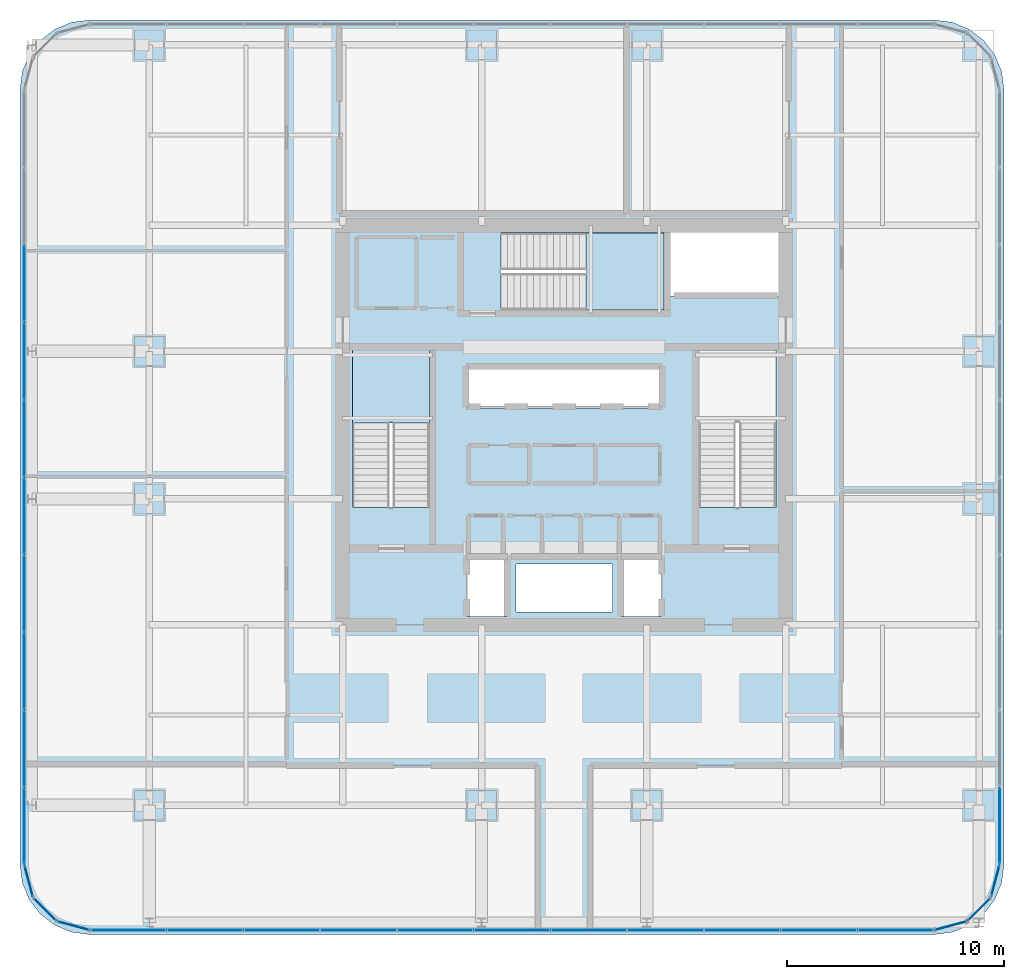
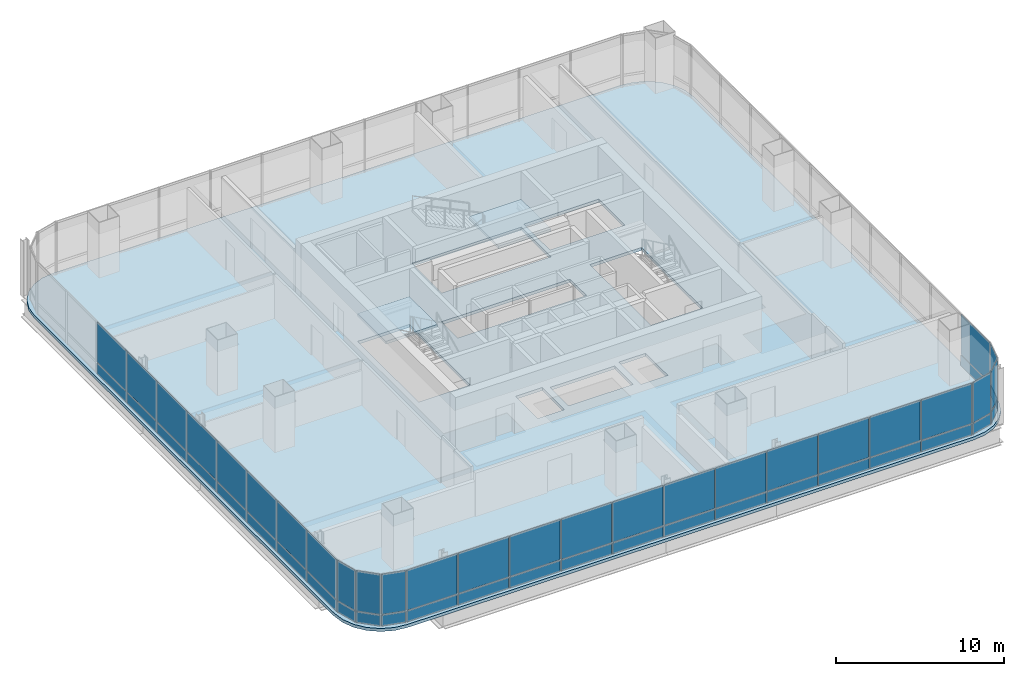
# One storey, part 27 of 36: 52 plates, 3 slabs, 11 elements without a shape of their own.
"""IFC4 building model written with IfcOpenShell, lengths in metres."""

from ifc_helpers import new_model, si_unit, direction, frame, origin, origin_2d, place, context, subcontext, project, spatial, polyline, rectangle, outline, extrude, material, layer, layer_set, type_object, element, aggregate, save


model = new_model("IFC4")

# Units and contexts
model_context = context("Model", 3, precision=1e-05, world=origin(), true_north=direction((0.0, 1.0)))
body_context = subcontext(model_context, "Body", "Model", "MODEL_VIEW")
ifc_project = project(units=[si_unit("LENGTHUNIT", "METRE"), si_unit("AREAUNIT", "SQUARE_METRE"), si_unit("VOLUMEUNIT", "CUBIC_METRE"), si_unit("PLANEANGLEUNIT", "RADIAN"), si_unit("MASSUNIT", "GRAM", prefix="KILO")], contexts=[model_context])

# Site, building, storey
site_placement = place(None, origin())
site = spatial("IfcSite", under=ifc_project, at=site_placement, CompositionType="ELEMENT")
building_placement = place(site_placement, origin())
building = spatial("IfcBuilding", under=site, at=building_placement, Name="Punatoya Terracotta Tower", CompositionType="ELEMENT")
storey_placement = place(building_placement, frame((0.0, 0.0, 196.5)))
storey = spatial("IfcBuildingStorey", under=building, at=storey_placement, Name="L46", CompositionType="ELEMENT", Elevation=196.5)

# Curtain wall, plates
ifc_material_1 = material(Name="Aluminium 6063-T6 + Double Low-E Glass", Category="aluminium")
curtain_wall_type = type_object("IfcCurtainWallType", Name="CW-M2", PredefinedType="NOTDEFINED", material=ifc_material_1)
curtain_wall_1_placement = place(storey_placement, origin())
curtain_wall_1 = element("IfcCurtainWall", 1, at=curtain_wall_1_placement, inside=storey, type_object=curtain_wall_type, Name="L46 Curtain Wall CW-L46-S01-1", PredefinedType="NOTDEFINED")
ifc_material_2 = material(Name="Double Low-E Acoustic Vision Glass", Category="glass")
ifc_layer_1 = layer(ifc_material_2, 0.031982421875)
ifc_layer_set_1 = layer_set([ifc_layer_1], Name="Double Low-E Acoustic Vision Glass")
plate_type_1 = type_object("IfcPlateType", Name="PLT-GLZ-32", PredefinedType="CURTAIN_PANEL", material=ifc_layer_set_1)
plate_1_placement = place(storey_placement, frame((-20.06982421875, -23.25, 0.89013671875), z_axis=(0.0, 0.0, 1.0), x_axis=(1.0, 0.0, 0.0)))
plate_1 = element("IfcPlate", 2, at=plate_1_placement, type_object=plate_type_1, Name="CW-L46-S01-1 Vision Glass Panel 1", PredefinedType="CURTAIN_PANEL", context=body_context, shape_type="SweptSolid", body=[
    extrude(rectangle(XDim=3.448974609375, YDim=0.031982421875, at=origin_2d()), origin(), (0.0, 0.0, 1.0), 2.89990234375),
])
plate_2_placement = place(storey_placement, frame((-16.535888671875, -23.25, 0.89013671875), z_axis=(0.0, 0.0, 1.0), x_axis=(1.0, 0.0, 0.0)))
plate_2 = element("IfcPlate", 3, at=plate_2_placement, type_object=plate_type_1, Name="CW-L46-S01-1 Vision Glass Panel 2", PredefinedType="CURTAIN_PANEL", context=body_context, shape_type="SweptSolid", body=[
    extrude(rectangle(XDim=3.448974609375, YDim=0.031982421875, at=origin_2d()), origin(), (0.0, 0.0, 1.0), 2.89990234375),
])
plate_3_placement = place(storey_placement, frame((-13.001953125, -23.25, 0.89013671875), z_axis=(0.0, 0.0, 1.0), x_axis=(1.0, 0.0, 0.0)))
plate_3 = element("IfcPlate", 4, at=plate_3_placement, type_object=plate_type_1, Name="CW-L46-S01-1 Vision Glass Panel 3", PredefinedType="CURTAIN_PANEL", context=body_context, shape_type="SweptSolid", body=[
    extrude(rectangle(XDim=3.448974609375, YDim=0.031982421875, at=origin_2d()), origin(), (0.0, 0.0, 1.0), 2.89990234375),
])
plate_4_placement = place(storey_placement, frame((-9.468017578125, -23.25, 0.89013671875), z_axis=(0.0, 0.0, 1.0), x_axis=(1.0, 0.0, 0.0)))
plate_4 = element("IfcPlate", 5, at=plate_4_placement, type_object=plate_type_1, Name="CW-L46-S01-1 Vision Glass Panel 4", PredefinedType="CURTAIN_PANEL", context=body_context, shape_type="SweptSolid", body=[
    extrude(rectangle(XDim=3.448974609375, YDim=0.031982421875, at=origin_2d()), origin(), (0.0, 0.0, 1.0), 2.89990234375),
])
plate_5_placement = place(storey_placement, frame((-5.93408203125, -23.25, 0.89013671875), z_axis=(0.0, 0.0, 1.0), x_axis=(1.0, 0.0, 0.0)))
plate_5 = element("IfcPlate", 6, at=plate_5_placement, type_object=plate_type_1, Name="CW-L46-S01-1 Vision Glass Panel 5", PredefinedType="CURTAIN_PANEL", context=body_context, shape_type="SweptSolid", body=[
    extrude(rectangle(XDim=3.448974609375, YDim=0.031982421875, at=origin_2d()), origin(), (0.0, 0.0, 1.0), 2.89990234375),
])
plate_6_placement = place(storey_placement, frame((-2.39990234375, -23.25, 0.89013671875), z_axis=(0.0, 0.0, 1.0), x_axis=(1.0, 0.0, 0.0)))
plate_6 = element("IfcPlate", 7, at=plate_6_placement, type_object=plate_type_1, Name="CW-L46-S01-1 Vision Glass Panel 6", PredefinedType="CURTAIN_PANEL", context=body_context, shape_type="SweptSolid", body=[
    extrude(rectangle(XDim=3.448974609375, YDim=0.031982421875, at=origin_2d()), origin(), (0.0, 0.0, 1.0), 2.89990234375),
])
plate_7_placement = place(storey_placement, frame((1.134033203125, -23.25, 0.89013671875), z_axis=(0.0, 0.0, 1.0), x_axis=(1.0, 0.0, 0.0)))
plate_7 = element("IfcPlate", 8, at=plate_7_placement, type_object=plate_type_1, Name="CW-L46-S01-1 Vision Glass Panel 7", PredefinedType="CURTAIN_PANEL", context=body_context, shape_type="SweptSolid", body=[
    extrude(rectangle(XDim=3.448974609375, YDim=0.031982421875, at=origin_2d()), origin(), (0.0, 0.0, 1.0), 2.89990234375),
])
plate_8_placement = place(storey_placement, frame((4.66796875, -23.25, 0.89013671875), z_axis=(0.0, 0.0, 1.0), x_axis=(1.0, 0.0, 0.0)))
plate_8 = element("IfcPlate", 9, at=plate_8_placement, type_object=plate_type_1, Name="CW-L46-S01-1 Vision Glass Panel 8", PredefinedType="CURTAIN_PANEL", context=body_context, shape_type="SweptSolid", body=[
    extrude(rectangle(XDim=3.448974609375, YDim=0.031982421875, at=origin_2d()), origin(), (0.0, 0.0, 1.0), 2.89990234375),
])
plate_9_placement = place(storey_placement, frame((8.201904296875, -23.25, 0.89013671875), z_axis=(0.0, 0.0, 1.0), x_axis=(1.0, 0.0, 0.0)))
plate_9 = element("IfcPlate", 10, at=plate_9_placement, type_object=plate_type_1, Name="CW-L46-S01-1 Vision Glass Panel 9", PredefinedType="CURTAIN_PANEL", context=body_context, shape_type="SweptSolid", body=[
    extrude(rectangle(XDim=3.448974609375, YDim=0.031982421875, at=origin_2d()), origin(), (0.0, 0.0, 1.0), 2.89990234375),
])
plate_10_placement = place(storey_placement, frame((11.73583984375, -23.25, 0.89013671875), z_axis=(0.0, 0.0, 1.0), x_axis=(1.0, 0.0, 0.0)))
plate_10 = element("IfcPlate", 11, at=plate_10_placement, type_object=plate_type_1, Name="CW-L46-S01-1 Vision Glass Panel 10", PredefinedType="CURTAIN_PANEL", context=body_context, shape_type="SweptSolid", body=[
    extrude(rectangle(XDim=3.448974609375, YDim=0.031982421875, at=origin_2d()), origin(), (0.0, 0.0, 1.0), 2.89990234375),
])
plate_11_placement = place(storey_placement, frame((15.27001953125, -23.25, 0.89013671875), z_axis=(0.0, 0.0, 1.0), x_axis=(1.0, 0.0, 0.0)))
plate_11 = element("IfcPlate", 12, at=plate_11_placement, type_object=plate_type_1, Name="CW-L46-S01-1 Vision Glass Panel 11", PredefinedType="CURTAIN_PANEL", context=body_context, shape_type="SweptSolid", body=[
    extrude(rectangle(XDim=3.448974609375, YDim=0.031982421875, at=origin_2d()), origin(), (0.0, 0.0, 1.0), 2.89990234375),
])

# Curtain wall, plate
curtain_wall_2_placement = place(storey_placement, origin())
curtain_wall_2 = element("IfcCurtainWall", 13, at=curtain_wall_2_placement, inside=storey, type_object=curtain_wall_type, Name="L46 Curtain Wall CW-L46-CRN02", PredefinedType="NOTDEFINED")
plate_12_placement = place(storey_placement, frame((17.79296875, -23.04833984375, 0.89013671875), z_axis=(0.0, 0.0, 1.0), x_axis=(0.966213877436, 0.257741620719, 0.0)))
plate_12 = element("IfcPlate", 14, at=plate_12_placement, type_object=plate_type_1, Name="CW-L46-CRN02 Vision Glass Panel 1", PredefinedType="CURTAIN_PANEL", context=body_context, shape_type="SweptSolid", body=[
    extrude(rectangle(XDim=1.47998046875, YDim=0.031982421875, at=origin_2d()), origin(), (0.0, 0.0, 1.0), 2.89990234375),
])

curtain_wall_3_placement = place(storey_placement, origin())
curtain_wall_3 = element("IfcCurtainWall", 15, at=curtain_wall_3_placement, inside=storey, type_object=curtain_wall_type, Name="L46 Curtain Wall CW-L46-CRN03", PredefinedType="NOTDEFINED")
plate_13_placement = place(storey_placement, frame((19.097900390625, -22.2978515625, 0.89013671875), z_axis=(0.0, 0.0, 1.0), x_axis=(0.707106781187, 0.707106781187, 0.0)))
plate_13 = element("IfcPlate", 16, at=plate_13_placement, type_object=plate_type_1, Name="CW-L46-CRN03 Vision Glass Panel 1", PredefinedType="CURTAIN_PANEL", context=body_context, shape_type="SweptSolid", body=[
    extrude(rectangle(XDim=1.467041015625, YDim=0.031982421875, at=origin_2d()), origin(), (0.0, 0.0, 1.0), 2.89990234375),
])

curtain_wall_4_placement = place(storey_placement, origin())
curtain_wall_4 = element("IfcCurtainWall", 17, at=curtain_wall_4_placement, inside=storey, type_object=curtain_wall_type, Name="L46 Curtain Wall CW-L46-CRN04", PredefinedType="NOTDEFINED")
plate_14_placement = place(storey_placement, frame((19.848388671875, -20.992919921875, 0.89013671875), z_axis=(0.0, 0.0, 1.0), x_axis=(0.257741620719, 0.966213877436, 0.0)))
plate_14 = element("IfcPlate", 18, at=plate_14_placement, type_object=plate_type_1, Name="CW-L46-CRN04 Vision Glass Panel 1", PredefinedType="CURTAIN_PANEL", context=body_context, shape_type="SweptSolid", body=[
    extrude(rectangle(XDim=1.47998046875, YDim=0.031982421875, at=origin_2d()), origin(), (0.0, 0.0, 1.0), 2.89990234375),
])

curtain_wall_5_placement = place(storey_placement, origin())
curtain_wall_5 = element("IfcCurtainWall", 19, at=curtain_wall_5_placement, inside=storey, type_object=curtain_wall_type, Name="L46 Curtain Wall CW-L46-E05-1", PredefinedType="NOTDEFINED")
plate_15_placement = place(storey_placement, frame((20.050048828125, -18.453125, 0.89013671875), z_axis=(0.0, 0.0, 1.0), x_axis=(0.0, 1.0, 0.0)))
plate_15 = element("IfcPlate", 20, at=plate_15_placement, type_object=plate_type_1, Name="CW-L46-E05-1 Vision Glass Panel 1", PredefinedType="CURTAIN_PANEL", context=body_context, shape_type="SweptSolid", body=[
    extrude(rectangle(XDim=3.482421875, YDim=0.031982421875, at=origin_2d()), origin(), (0.0, 0.0, 1.0), 2.89990234375),
])

# Curtain wall, plates
curtain_wall_6_placement = place(storey_placement, origin())
curtain_wall_6 = element("IfcCurtainWall", 21, at=curtain_wall_6_placement, inside=storey, type_object=curtain_wall_type, Name="L46 Curtain Wall CW-L46-W13-1", PredefinedType="NOTDEFINED")
plate_16_placement = place(storey_placement, frame((-24.85009765625, 6.518310546875, 0.89013671875), z_axis=(0.0, 0.0, 1.0), x_axis=(0.0, -1.0, 0.0)))
plate_16 = element("IfcPlate", 22, at=plate_16_placement, type_object=plate_type_1, Name="CW-L46-W13-1 Vision Glass Panel 3", PredefinedType="CURTAIN_PANEL", context=body_context, shape_type="SweptSolid", body=[
    extrude(rectangle(XDim=3.482421875, YDim=0.031982421875, at=origin_2d()), origin(), (0.0, 0.0, 1.0), 2.89990234375),
])
plate_17_placement = place(storey_placement, frame((-24.85009765625, 2.951171875, 0.89013671875), z_axis=(0.0, 0.0, 1.0), x_axis=(0.0, -1.0, 0.0)))
plate_17 = element("IfcPlate", 23, at=plate_17_placement, type_object=plate_type_1, Name="CW-L46-W13-1 Vision Glass Panel 4", PredefinedType="CURTAIN_PANEL", context=body_context, shape_type="SweptSolid", body=[
    extrude(rectangle(XDim=3.482421875, YDim=0.031982421875, at=origin_2d()), origin(), (0.0, 0.0, 1.0), 2.89990234375),
])
plate_18_placement = place(storey_placement, frame((-24.85009765625, -0.6162109375, 0.89013671875), z_axis=(0.0, 0.0, 1.0), x_axis=(0.0, -1.0, 0.0)))
plate_18 = element("IfcPlate", 24, at=plate_18_placement, type_object=plate_type_1, Name="CW-L46-W13-1 Vision Glass Panel 5", PredefinedType="CURTAIN_PANEL", context=body_context, shape_type="SweptSolid", body=[
    extrude(rectangle(XDim=3.482421875, YDim=0.031982421875, at=origin_2d()), origin(), (0.0, 0.0, 1.0), 2.89990234375),
])
plate_19_placement = place(storey_placement, frame((-24.85009765625, -4.18359375, 0.89013671875), z_axis=(0.0, 0.0, 1.0), x_axis=(0.0, -1.0, 0.0)))
plate_19 = element("IfcPlate", 25, at=plate_19_placement, type_object=plate_type_1, Name="CW-L46-W13-1 Vision Glass Panel 6", PredefinedType="CURTAIN_PANEL", context=body_context, shape_type="SweptSolid", body=[
    extrude(rectangle(XDim=3.482421875, YDim=0.031982421875, at=origin_2d()), origin(), (0.0, 0.0, 1.0), 2.89990234375),
])
plate_20_placement = place(storey_placement, frame((-24.85009765625, -7.751220703125, 0.89013671875), z_axis=(0.0, 0.0, 1.0), x_axis=(0.0, -1.0, 0.0)))
plate_20 = element("IfcPlate", 26, at=plate_20_placement, type_object=plate_type_1, Name="CW-L46-W13-1 Vision Glass Panel 7", PredefinedType="CURTAIN_PANEL", context=body_context, shape_type="SweptSolid", body=[
    extrude(rectangle(XDim=3.482421875, YDim=0.031982421875, at=origin_2d()), origin(), (0.0, 0.0, 1.0), 2.89990234375),
])
plate_21_placement = place(storey_placement, frame((-24.85009765625, -11.318359375, 0.89013671875), z_axis=(0.0, 0.0, 1.0), x_axis=(0.0, -1.0, 0.0)))
plate_21 = element("IfcPlate", 27, at=plate_21_placement, type_object=plate_type_1, Name="CW-L46-W13-1 Vision Glass Panel 8", PredefinedType="CURTAIN_PANEL", context=body_context, shape_type="SweptSolid", body=[
    extrude(rectangle(XDim=3.482421875, YDim=0.031982421875, at=origin_2d()), origin(), (0.0, 0.0, 1.0), 2.89990234375),
])
plate_22_placement = place(storey_placement, frame((-24.85009765625, -14.8857421875, 0.89013671875), z_axis=(0.0, 0.0, 1.0), x_axis=(0.0, -1.0, 0.0)))
plate_22 = element("IfcPlate", 28, at=plate_22_placement, type_object=plate_type_1, Name="CW-L46-W13-1 Vision Glass Panel 9", PredefinedType="CURTAIN_PANEL", context=body_context, shape_type="SweptSolid", body=[
    extrude(rectangle(XDim=3.482421875, YDim=0.031982421875, at=origin_2d()), origin(), (0.0, 0.0, 1.0), 2.89990234375),
])
plate_23_placement = place(storey_placement, frame((-24.85009765625, -18.453125, 0.89013671875), z_axis=(0.0, 0.0, 1.0), x_axis=(0.0, -1.0, 0.0)))
plate_23 = element("IfcPlate", 29, at=plate_23_placement, type_object=plate_type_1, Name="CW-L46-W13-1 Vision Glass Panel 10", PredefinedType="CURTAIN_PANEL", context=body_context, shape_type="SweptSolid", body=[
    extrude(rectangle(XDim=3.482421875, YDim=0.031982421875, at=origin_2d()), origin(), (0.0, 0.0, 1.0), 2.89990234375),
])

# Curtain wall, plate
curtain_wall_7_placement = place(storey_placement, origin())
curtain_wall_7 = element("IfcCurtainWall", 30, at=curtain_wall_7_placement, inside=storey, type_object=curtain_wall_type, Name="L46 Curtain Wall CW-L46-CRN14", PredefinedType="NOTDEFINED")
plate_24_placement = place(storey_placement, frame((-24.648193359375, -20.992919921875, 0.89013671875), z_axis=(0.0, 0.0, 1.0), x_axis=(0.257741620719, -0.966213877436, 0.0)))
plate_24 = element("IfcPlate", 31, at=plate_24_placement, type_object=plate_type_1, Name="CW-L46-CRN14 Vision Glass Panel 1", PredefinedType="CURTAIN_PANEL", context=body_context, shape_type="SweptSolid", body=[
    extrude(rectangle(XDim=1.47998046875, YDim=0.031982421875, at=origin_2d()), origin(), (0.0, 0.0, 1.0), 2.89990234375),
])

curtain_wall_8_placement = place(storey_placement, origin())
curtain_wall_8 = element("IfcCurtainWall", 32, at=curtain_wall_8_placement, inside=storey, type_object=curtain_wall_type, Name="L46 Curtain Wall CW-L46-CRN15", PredefinedType="NOTDEFINED")
plate_25_placement = place(storey_placement, frame((-23.89794921875, -22.2978515625, 0.89013671875), z_axis=(0.0, 0.0, 1.0), x_axis=(0.707106781187, -0.707106781187, 0.0)))
plate_25 = element("IfcPlate", 33, at=plate_25_placement, type_object=plate_type_1, Name="CW-L46-CRN15 Vision Glass Panel 1", PredefinedType="CURTAIN_PANEL", context=body_context, shape_type="SweptSolid", body=[
    extrude(rectangle(XDim=1.467041015625, YDim=0.031982421875, at=origin_2d()), origin(), (0.0, 0.0, 1.0), 2.89990234375),
])

curtain_wall_9_placement = place(storey_placement, origin())
curtain_wall_9 = element("IfcCurtainWall", 34, at=curtain_wall_9_placement, inside=storey, type_object=curtain_wall_type, Name="L46 Curtain Wall CW-L46-CRN16", PredefinedType="NOTDEFINED")
plate_26_placement = place(storey_placement, frame((-22.593017578125, -23.04833984375, 0.89013671875), z_axis=(0.0, 0.0, 1.0), x_axis=(0.966213877436, -0.257741620719, 0.0)))
plate_26 = element("IfcPlate", 35, at=plate_26_placement, type_object=plate_type_1, Name="CW-L46-CRN16 Vision Glass Panel 1", PredefinedType="CURTAIN_PANEL", context=body_context, shape_type="SweptSolid", body=[
    extrude(rectangle(XDim=1.47998046875, YDim=0.031982421875, at=origin_2d()), origin(), (0.0, 0.0, 1.0), 2.89990234375),
])

# Plate
ifc_material_3 = material(Name="Insulated Terracotta-Backed Spandrel Panel", Category="masonry")
ifc_layer_2 = layer(ifc_material_3, 0.044921875)
ifc_layer_set_2 = layer_set([ifc_layer_2], Name="Insulated Terracotta-Backed Spandrel Panel")
plate_type_2 = type_object("IfcPlateType", Name="PLT-SPN-45", PredefinedType="CURTAIN_PANEL", material=ifc_layer_set_2)
plate_27_placement = place(storey_placement, frame((-20.06982421875, -23.25, 0.0400390625), z_axis=(0.0, 0.0, 1.0), x_axis=(1.0, 0.0, 0.0)))
plate_27 = element("IfcPlate", 36, at=plate_27_placement, type_object=plate_type_2, Name="CW-L46-S01-1 Terracotta Spandrel Panel 1", PredefinedType="CURTAIN_PANEL", context=body_context, shape_type="SweptSolid", body=[
    extrude(rectangle(XDim=3.448974609375, YDim=0.044921875, at=origin_2d()), origin(), (0.0, 0.0, 1.0), 0.77490234375),
])

plate_28_placement = place(storey_placement, frame((-16.535888671875, -23.25, 0.0400390625), z_axis=(0.0, 0.0, 1.0), x_axis=(1.0, 0.0, 0.0)))
plate_28 = element("IfcPlate", 37, at=plate_28_placement, type_object=plate_type_2, Name="CW-L46-S01-1 Terracotta Spandrel Panel 2", PredefinedType="CURTAIN_PANEL", context=body_context, shape_type="SweptSolid", body=[
    extrude(rectangle(XDim=3.448974609375, YDim=0.044921875, at=origin_2d()), origin(), (0.0, 0.0, 1.0), 0.77490234375),
])

plate_29_placement = place(storey_placement, frame((-13.001953125, -23.25, 0.0400390625), z_axis=(0.0, 0.0, 1.0), x_axis=(1.0, 0.0, 0.0)))
plate_29 = element("IfcPlate", 38, at=plate_29_placement, type_object=plate_type_2, Name="CW-L46-S01-1 Terracotta Spandrel Panel 3", PredefinedType="CURTAIN_PANEL", context=body_context, shape_type="SweptSolid", body=[
    extrude(rectangle(XDim=3.448974609375, YDim=0.044921875, at=origin_2d()), origin(), (0.0, 0.0, 1.0), 0.77490234375),
])

plate_30_placement = place(storey_placement, frame((-9.468017578125, -23.25, 0.0400390625), z_axis=(0.0, 0.0, 1.0), x_axis=(1.0, 0.0, 0.0)))
plate_30 = element("IfcPlate", 39, at=plate_30_placement, type_object=plate_type_2, Name="CW-L46-S01-1 Terracotta Spandrel Panel 4", PredefinedType="CURTAIN_PANEL", context=body_context, shape_type="SweptSolid", body=[
    extrude(rectangle(XDim=3.448974609375, YDim=0.044921875, at=origin_2d()), origin(), (0.0, 0.0, 1.0), 0.77490234375),
])

plate_31_placement = place(storey_placement, frame((-5.93408203125, -23.25, 0.0400390625), z_axis=(0.0, 0.0, 1.0), x_axis=(1.0, 0.0, 0.0)))
plate_31 = element("IfcPlate", 40, at=plate_31_placement, type_object=plate_type_2, Name="CW-L46-S01-1 Terracotta Spandrel Panel 5", PredefinedType="CURTAIN_PANEL", context=body_context, shape_type="SweptSolid", body=[
    extrude(rectangle(XDim=3.448974609375, YDim=0.044921875, at=origin_2d()), origin(), (0.0, 0.0, 1.0), 0.77490234375),
])

plate_32_placement = place(storey_placement, frame((-2.39990234375, -23.25, 0.0400390625), z_axis=(0.0, 0.0, 1.0), x_axis=(1.0, 0.0, 0.0)))
plate_32 = element("IfcPlate", 41, at=plate_32_placement, type_object=plate_type_2, Name="CW-L46-S01-1 Terracotta Spandrel Panel 6", PredefinedType="CURTAIN_PANEL", context=body_context, shape_type="SweptSolid", body=[
    extrude(rectangle(XDim=3.448974609375, YDim=0.044921875, at=origin_2d()), origin(), (0.0, 0.0, 1.0), 0.77490234375),
])

plate_33_placement = place(storey_placement, frame((1.134033203125, -23.25, 0.0400390625), z_axis=(0.0, 0.0, 1.0), x_axis=(1.0, 0.0, 0.0)))
plate_33 = element("IfcPlate", 42, at=plate_33_placement, type_object=plate_type_2, Name="CW-L46-S01-1 Terracotta Spandrel Panel 7", PredefinedType="CURTAIN_PANEL", context=body_context, shape_type="SweptSolid", body=[
    extrude(rectangle(XDim=3.448974609375, YDim=0.044921875, at=origin_2d()), origin(), (0.0, 0.0, 1.0), 0.77490234375),
])

plate_34_placement = place(storey_placement, frame((4.66796875, -23.25, 0.0400390625), z_axis=(0.0, 0.0, 1.0), x_axis=(1.0, 0.0, 0.0)))
plate_34 = element("IfcPlate", 43, at=plate_34_placement, type_object=plate_type_2, Name="CW-L46-S01-1 Terracotta Spandrel Panel 8", PredefinedType="CURTAIN_PANEL", context=body_context, shape_type="SweptSolid", body=[
    extrude(rectangle(XDim=3.448974609375, YDim=0.044921875, at=origin_2d()), origin(), (0.0, 0.0, 1.0), 0.77490234375),
])

plate_35_placement = place(storey_placement, frame((8.201904296875, -23.25, 0.0400390625), z_axis=(0.0, 0.0, 1.0), x_axis=(1.0, 0.0, 0.0)))
plate_35 = element("IfcPlate", 44, at=plate_35_placement, type_object=plate_type_2, Name="CW-L46-S01-1 Terracotta Spandrel Panel 9", PredefinedType="CURTAIN_PANEL", context=body_context, shape_type="SweptSolid", body=[
    extrude(rectangle(XDim=3.448974609375, YDim=0.044921875, at=origin_2d()), origin(), (0.0, 0.0, 1.0), 0.77490234375),
])

plate_36_placement = place(storey_placement, frame((11.73583984375, -23.25, 0.0400390625), z_axis=(0.0, 0.0, 1.0), x_axis=(1.0, 0.0, 0.0)))
plate_36 = element("IfcPlate", 45, at=plate_36_placement, type_object=plate_type_2, Name="CW-L46-S01-1 Terracotta Spandrel Panel 10", PredefinedType="CURTAIN_PANEL", context=body_context, shape_type="SweptSolid", body=[
    extrude(rectangle(XDim=3.448974609375, YDim=0.044921875, at=origin_2d()), origin(), (0.0, 0.0, 1.0), 0.77490234375),
])

plate_37_placement = place(storey_placement, frame((15.27001953125, -23.25, 0.0400390625), z_axis=(0.0, 0.0, 1.0), x_axis=(1.0, 0.0, 0.0)))
plate_37 = element("IfcPlate", 46, at=plate_37_placement, type_object=plate_type_2, Name="CW-L46-S01-1 Terracotta Spandrel Panel 11", PredefinedType="CURTAIN_PANEL", context=body_context, shape_type="SweptSolid", body=[
    extrude(rectangle(XDim=3.448974609375, YDim=0.044921875, at=origin_2d()), origin(), (0.0, 0.0, 1.0), 0.77490234375),
])

aggregate(curtain_wall_1, [plate_27, plate_1, plate_28, plate_2, plate_29, plate_3, plate_30, plate_4, plate_31, plate_5, plate_32, plate_6, plate_33, plate_7, plate_34, plate_8, plate_35, plate_9, plate_36, plate_10, plate_37, plate_11])

plate_38_placement = place(storey_placement, frame((17.79296875, -23.04833984375, 0.0400390625), z_axis=(0.0, 0.0, 1.0), x_axis=(0.966213877436, 0.257741620719, 0.0)))
plate_38 = element("IfcPlate", 47, at=plate_38_placement, type_object=plate_type_2, Name="CW-L46-CRN02 Terracotta Spandrel Panel 1", PredefinedType="CURTAIN_PANEL", context=body_context, shape_type="SweptSolid", body=[
    extrude(rectangle(XDim=1.47998046875, YDim=0.044921875, at=origin_2d()), origin(), (0.0, 0.0, 1.0), 0.77490234375),
])

aggregate(curtain_wall_2, [plate_38, plate_12])

plate_39_placement = place(storey_placement, frame((19.097900390625, -22.2978515625, 0.0400390625), z_axis=(0.0, 0.0, 1.0), x_axis=(0.707106781187, 0.707106781187, 0.0)))
plate_39 = element("IfcPlate", 48, at=plate_39_placement, type_object=plate_type_2, Name="CW-L46-CRN03 Terracotta Spandrel Panel 1", PredefinedType="CURTAIN_PANEL", context=body_context, shape_type="SweptSolid", body=[
    extrude(rectangle(XDim=1.467041015625, YDim=0.044921875, at=origin_2d()), origin(), (0.0, 0.0, 1.0), 0.77490234375),
])

aggregate(curtain_wall_3, [plate_39, plate_13])

plate_40_placement = place(storey_placement, frame((19.848388671875, -20.992919921875, 0.0400390625), z_axis=(0.0, 0.0, 1.0), x_axis=(0.257741620719, 0.966213877436, 0.0)))
plate_40 = element("IfcPlate", 49, at=plate_40_placement, type_object=plate_type_2, Name="CW-L46-CRN04 Terracotta Spandrel Panel 1", PredefinedType="CURTAIN_PANEL", context=body_context, shape_type="SweptSolid", body=[
    extrude(rectangle(XDim=1.47998046875, YDim=0.044921875, at=origin_2d()), origin(), (0.0, 0.0, 1.0), 0.77490234375),
])

aggregate(curtain_wall_4, [plate_40, plate_14])

plate_41_placement = place(storey_placement, frame((20.050048828125, -18.453125, 0.0400390625), z_axis=(0.0, 0.0, 1.0), x_axis=(0.0, 1.0, 0.0)))
plate_41 = element("IfcPlate", 50, at=plate_41_placement, type_object=plate_type_2, Name="CW-L46-E05-1 Terracotta Spandrel Panel 1", PredefinedType="CURTAIN_PANEL", context=body_context, shape_type="SweptSolid", body=[
    extrude(rectangle(XDim=3.482421875, YDim=0.044921875, at=origin_2d()), origin(), (0.0, 0.0, 1.0), 0.77490234375),
])

aggregate(curtain_wall_5, [plate_41, plate_15])

plate_42_placement = place(storey_placement, frame((-24.85009765625, 6.518310546875, 0.0400390625), z_axis=(0.0, 0.0, 1.0), x_axis=(0.0, -1.0, 0.0)))
plate_42 = element("IfcPlate", 51, at=plate_42_placement, type_object=plate_type_2, Name="CW-L46-W13-1 Terracotta Spandrel Panel 3", PredefinedType="CURTAIN_PANEL", context=body_context, shape_type="SweptSolid", body=[
    extrude(rectangle(XDim=3.482421875, YDim=0.044921875, at=origin_2d()), origin(), (0.0, 0.0, 1.0), 0.77490234375),
])

plate_43_placement = place(storey_placement, frame((-24.85009765625, 2.951171875, 0.0400390625), z_axis=(0.0, 0.0, 1.0), x_axis=(0.0, -1.0, 0.0)))
plate_43 = element("IfcPlate", 52, at=plate_43_placement, type_object=plate_type_2, Name="CW-L46-W13-1 Terracotta Spandrel Panel 4", PredefinedType="CURTAIN_PANEL", context=body_context, shape_type="SweptSolid", body=[
    extrude(rectangle(XDim=3.482421875, YDim=0.044921875, at=origin_2d()), origin(), (0.0, 0.0, 1.0), 0.77490234375),
])

plate_44_placement = place(storey_placement, frame((-24.85009765625, -0.6162109375, 0.0400390625), z_axis=(0.0, 0.0, 1.0), x_axis=(0.0, -1.0, 0.0)))
plate_44 = element("IfcPlate", 53, at=plate_44_placement, type_object=plate_type_2, Name="CW-L46-W13-1 Terracotta Spandrel Panel 5", PredefinedType="CURTAIN_PANEL", context=body_context, shape_type="SweptSolid", body=[
    extrude(rectangle(XDim=3.482421875, YDim=0.044921875, at=origin_2d()), origin(), (0.0, 0.0, 1.0), 0.77490234375),
])

plate_45_placement = place(storey_placement, frame((-24.85009765625, -4.18359375, 0.0400390625), z_axis=(0.0, 0.0, 1.0), x_axis=(0.0, -1.0, 0.0)))
plate_45 = element("IfcPlate", 54, at=plate_45_placement, type_object=plate_type_2, Name="CW-L46-W13-1 Terracotta Spandrel Panel 6", PredefinedType="CURTAIN_PANEL", context=body_context, shape_type="SweptSolid", body=[
    extrude(rectangle(XDim=3.482421875, YDim=0.044921875, at=origin_2d()), origin(), (0.0, 0.0, 1.0), 0.77490234375),
])

plate_46_placement = place(storey_placement, frame((-24.85009765625, -7.751220703125, 0.0400390625), z_axis=(0.0, 0.0, 1.0), x_axis=(0.0, -1.0, 0.0)))
plate_46 = element("IfcPlate", 55, at=plate_46_placement, type_object=plate_type_2, Name="CW-L46-W13-1 Terracotta Spandrel Panel 7", PredefinedType="CURTAIN_PANEL", context=body_context, shape_type="SweptSolid", body=[
    extrude(rectangle(XDim=3.482421875, YDim=0.044921875, at=origin_2d()), origin(), (0.0, 0.0, 1.0), 0.77490234375),
])

plate_47_placement = place(storey_placement, frame((-24.85009765625, -11.318359375, 0.0400390625), z_axis=(0.0, 0.0, 1.0), x_axis=(0.0, -1.0, 0.0)))
plate_47 = element("IfcPlate", 56, at=plate_47_placement, type_object=plate_type_2, Name="CW-L46-W13-1 Terracotta Spandrel Panel 8", PredefinedType="CURTAIN_PANEL", context=body_context, shape_type="SweptSolid", body=[
    extrude(rectangle(XDim=3.482421875, YDim=0.044921875, at=origin_2d()), origin(), (0.0, 0.0, 1.0), 0.77490234375),
])

plate_48_placement = place(storey_placement, frame((-24.85009765625, -14.8857421875, 0.0400390625), z_axis=(0.0, 0.0, 1.0), x_axis=(0.0, -1.0, 0.0)))
plate_48 = element("IfcPlate", 57, at=plate_48_placement, type_object=plate_type_2, Name="CW-L46-W13-1 Terracotta Spandrel Panel 9", PredefinedType="CURTAIN_PANEL", context=body_context, shape_type="SweptSolid", body=[
    extrude(rectangle(XDim=3.482421875, YDim=0.044921875, at=origin_2d()), origin(), (0.0, 0.0, 1.0), 0.77490234375),
])

plate_49_placement = place(storey_placement, frame((-24.85009765625, -18.453125, 0.0400390625), z_axis=(0.0, 0.0, 1.0), x_axis=(0.0, -1.0, 0.0)))
plate_49 = element("IfcPlate", 58, at=plate_49_placement, type_object=plate_type_2, Name="CW-L46-W13-1 Terracotta Spandrel Panel 10", PredefinedType="CURTAIN_PANEL", context=body_context, shape_type="SweptSolid", body=[
    extrude(rectangle(XDim=3.482421875, YDim=0.044921875, at=origin_2d()), origin(), (0.0, 0.0, 1.0), 0.77490234375),
])

aggregate(curtain_wall_6, [plate_42, plate_16, plate_43, plate_17, plate_44, plate_18, plate_45, plate_19, plate_46, plate_20, plate_47, plate_21, plate_48, plate_22, plate_49, plate_23])

plate_50_placement = place(storey_placement, frame((-24.648193359375, -20.992919921875, 0.0400390625), z_axis=(0.0, 0.0, 1.0), x_axis=(0.257741620719, -0.966213877436, 0.0)))
plate_50 = element("IfcPlate", 59, at=plate_50_placement, type_object=plate_type_2, Name="CW-L46-CRN14 Terracotta Spandrel Panel 1", PredefinedType="CURTAIN_PANEL", context=body_context, shape_type="SweptSolid", body=[
    extrude(rectangle(XDim=1.47998046875, YDim=0.044921875, at=origin_2d()), origin(), (0.0, 0.0, 1.0), 0.77490234375),
])

aggregate(curtain_wall_7, [plate_50, plate_24])

plate_51_placement = place(storey_placement, frame((-23.89794921875, -22.2978515625, 0.0400390625), z_axis=(0.0, 0.0, 1.0), x_axis=(0.707106781187, -0.707106781187, 0.0)))
plate_51 = element("IfcPlate", 60, at=plate_51_placement, type_object=plate_type_2, Name="CW-L46-CRN15 Terracotta Spandrel Panel 1", PredefinedType="CURTAIN_PANEL", context=body_context, shape_type="SweptSolid", body=[
    extrude(rectangle(XDim=1.467041015625, YDim=0.044921875, at=origin_2d()), origin(), (0.0, 0.0, 1.0), 0.77490234375),
])

aggregate(curtain_wall_8, [plate_51, plate_25])

plate_52_placement = place(storey_placement, frame((-22.593017578125, -23.04833984375, 0.0400390625), z_axis=(0.0, 0.0, 1.0), x_axis=(0.966213877436, -0.257741620719, 0.0)))
plate_52 = element("IfcPlate", 61, at=plate_52_placement, type_object=plate_type_2, Name="CW-L46-CRN16 Terracotta Spandrel Panel 1", PredefinedType="CURTAIN_PANEL", context=body_context, shape_type="SweptSolid", body=[
    extrude(rectangle(XDim=1.47998046875, YDim=0.044921875, at=origin_2d()), origin(), (0.0, 0.0, 1.0), 0.77490234375),
])

aggregate(curtain_wall_9, [plate_52, plate_26])

# Stair, slab
ifc_material_4 = material(Name="Concrete C40/50", Category="concrete")
stair_type_1 = type_object("IfcStairType", Name="STR-TER-1450", PredefinedType="HALF_TURN_STAIR", material=ifc_material_4)
stair_1_placement = place(storey_placement, origin())
stair_1 = element("IfcStair", 62, at=stair_1_placement, inside=storey, type_object=stair_type_1, Name="L46 Protected Core Exit Stair ST-3", PredefinedType="HALF_TURN_STAIR")
ifc_layer_3 = layer(ifc_material_4, 0.1650390625)
ifc_layer_set_3 = layer_set([ifc_layer_3], Name="Concrete C40/50")
slab_type_1 = type_object("IfcSlabType", Name="SLB-LND-165", PredefinedType="LANDING", material=ifc_layer_set_3)
slab_1_placement = place(storey_placement, frame((0.0, 0.0, 1.824951171875)))
slab_1 = element("IfcSlab", 63, at=slab_1_placement, type_object=slab_type_1, Name="ST-3 landing 1", PredefinedType="LANDING", context=body_context, shape_type="SweptSolid", body=[
    extrude(outline(polyline([(1.0, 5.300048828125), (4.60009765625, 5.300048828125), (4.60009765625, 8.85009765625), (1.0, 8.85009765625), (1.0, 5.300048828125)])), origin(), (0.0, 0.0, 1.0), 0.199951171875),
])
aggregate(stair_1, [slab_1])

stair_type_2 = type_object("IfcStairType", Name="STR-CORE-1550", PredefinedType="HALF_TURN_STAIR", material=ifc_material_4)
stair_2_placement = place(storey_placement, origin())
stair_2 = element("IfcStair", 64, at=stair_2_placement, inside=storey, type_object=stair_type_2, Name="L46 Protected Core Exit Stair ST-1", PredefinedType="HALF_TURN_STAIR")
ifc_layer_4 = layer(ifc_material_4, 0.179931640625)
ifc_layer_set_4 = layer_set([ifc_layer_4], Name="Concrete C40/50")
slab_type_2 = type_object("IfcSlabType", Name="SLB-LND-180", PredefinedType="LANDING", material=ifc_layer_set_4)
slab_2_placement = place(storey_placement, frame((0.0, 0.0, 1.824951171875)))
slab_2 = element("IfcSlab", 65, at=slab_2_placement, type_object=slab_type_2, Name="ST-1 landing 1", PredefinedType="LANDING", context=body_context, shape_type="SweptSolid", body=[
    extrude(outline(polyline([(-6.199951171875, 0.10009765625), (-6.199951171875, 3.449951171875), (-9.75, 3.449951171875), (-9.75, 0.10009765625), (-6.199951171875, 0.10009765625)])), origin(), (0.0, 0.0, 1.0), 0.199951171875),
])
aggregate(stair_2, [slab_2])

# Slab
ifc_layer_5 = layer(ifc_material_4, 0.219970703125)
ifc_layer_set_5 = layer_set([ifc_layer_5], Name="Concrete C40/50")
slab_type_3 = type_object("IfcSlabType", Name="SLB-OFF-220", PredefinedType="FLOOR", material=ifc_layer_set_5)
slab_3_placement = place(storey_placement, frame((0.0, 0.0, -0.219970703125)))
element("IfcSlab", 66, at=slab_3_placement, inside=storey, type_object=slab_type_3, Name="L46 Structural Floor Slab", PredefinedType="FLOOR", context=body_context, shape_type="SweptSolid", body=[
    extrude(outline(polyline([(-21.85009765625, -23.449951171875), (-22.67822265625, -23.341064453125), (-23.449951171875, -23.021240234375), (-24.11279296875, -22.5126953125), (-24.621337890625, -21.85009765625), (-24.94091796875, -21.078125), (-25.050048828125, -20.25), (-25.050048828125, 15.449951171875), (-24.94091796875, 16.2783203125), (-24.621337890625, 17.050048828125), (-24.11279296875, 17.712646484375), (-23.449951171875, 18.22119140625), (-22.67822265625, 18.541015625), (-21.85009765625, 18.64990234375), (17.050048828125, 18.64990234375), (17.878173828125, 18.541015625), (18.64990234375, 18.22119140625), (19.312744140625, 17.712646484375), (19.8212890625, 17.050048828125), (20.14111328125, 16.2783203125), (20.25, 15.449951171875), (20.25, -20.25), (20.14111328125, -21.078125), (19.8212890625, -21.85009765625), (19.312744140625, -22.5126953125), (18.64990234375, -23.021240234375), (17.878173828125, -23.341064453125), (17.050048828125, -23.449951171875), (-21.85009765625, -23.449951171875)]), holes=[polyline([(-2.6298828125, -6.179931640625), (-4.469970703125, -6.179931640625), (-4.469970703125, -8.820068359375), (-2.6298828125, -8.820068359375), (-2.6298828125, -6.179931640625)]), polyline([(0.02001953125, -8.594970703125), (2.219970703125, -8.594970703125), (2.219970703125, -6.405029296875), (0.02001953125, -6.405029296875), (-0.02001953125, -6.405029296875), (-2.219970703125, -6.405029296875), (-2.219970703125, -8.594970703125), (-0.02001953125, -8.594970703125), (0.02001953125, -8.594970703125)]), polyline([(-6.199951171875, 3.449951171875), (-9.75, 3.449951171875), (-9.75, -3.79931640625), (-6.199951171875, -3.79931640625), (-6.199951171875, 3.449951171875)]), polyline([(-4.419921875, 2.719970703125), (-4.419921875, 0.780029296875), (-2.219970703125, 0.780029296875), (-2.179931640625, 0.780029296875), (-0.02001953125, 0.780029296875), (0.02001953125, 0.780029296875), (2.179931640625, 0.780029296875), (2.219970703125, 0.780029296875), (4.419921875, 0.780029296875), (4.419921875, 2.719970703125), (2.219970703125, 2.719970703125), (2.179931640625, 2.719970703125), (0.02001953125, 2.719970703125), (-0.02001953125, 2.719970703125), (-2.179931640625, 2.719970703125), (-2.219970703125, 2.719970703125), (-4.419921875, 2.719970703125)]), polyline([(4.60009765625, 5.300048828125), (4.60009765625, 8.85009765625), (-2.899169921875, 8.85009765625), (-2.899169921875, 5.300048828125), (4.60009765625, 5.300048828125)]), polyline([(4.469970703125, -8.820068359375), (4.469970703125, -6.179931640625), (2.6298828125, -6.179931640625), (2.6298828125, -8.820068359375), (4.469970703125, -8.820068359375)]), polyline([(9.75, 3.449951171875), (6.199951171875, 3.449951171875), (6.199951171875, -3.79931640625), (9.75, -3.79931640625), (9.75, 3.449951171875)]), polyline([(10.050048828125, 5.949951171875), (10.050048828125, 9.050048828125), (4.89990234375, 9.050048828125), (4.89990234375, 5.949951171875), (10.050048828125, 5.949951171875)])]), origin(), (0.0, 0.0, 1.0), 0.219970703125),
])

save(model, "model.ifc")
